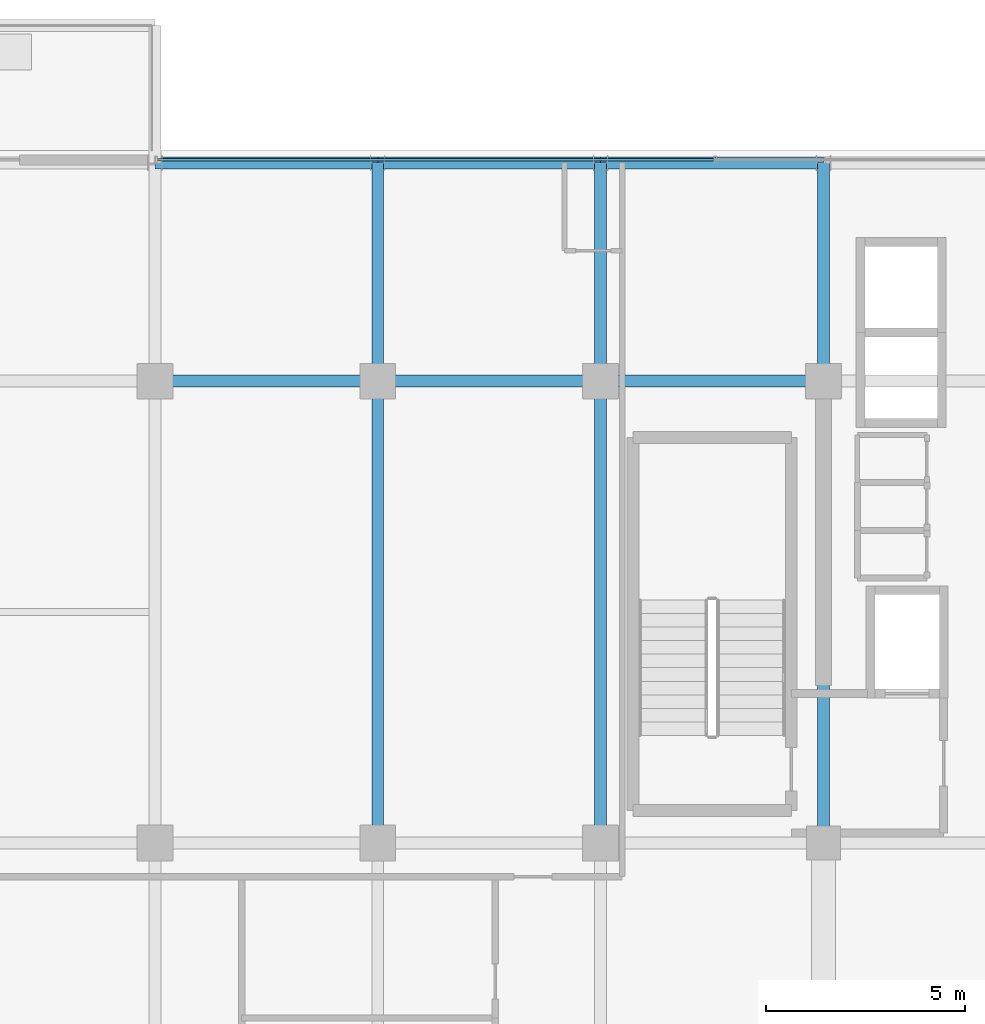
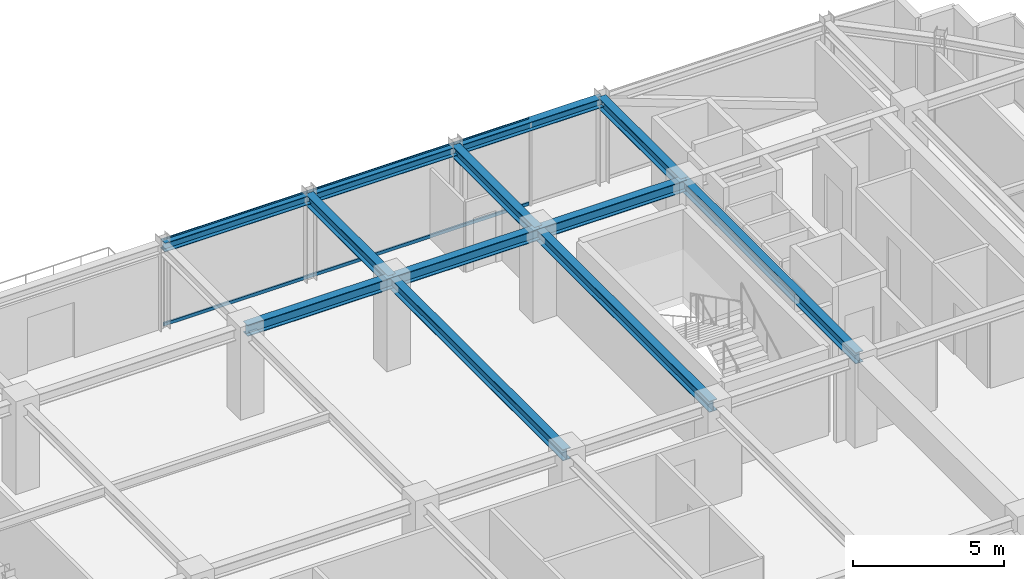
# One storey, part 19 of 31: 12 beams, 2 members, 1 element without a shape of its own.
"""IFC4 building model written with IfcOpenShell, lengths in metres."""

from ifc_helpers import new_model, si_unit, direction, frame, origin, origin_2d, place, context, subcontext, project, spatial, hollow_rectangle, i_section, extrude, source, transform, mapped, material, material_profile, profile_set, type_object, element, aggregate, save


model = new_model("IFC4")

# Units and contexts
model_context = context("Model", 3, precision=1e-05, world=origin(), true_north=direction((0.0, 1.0)))
body_context = subcontext(model_context, "Body", "Model", "MODEL_VIEW")
ifc_project = project(units=[si_unit("LENGTHUNIT", "METRE"), si_unit("AREAUNIT", "SQUARE_METRE"), si_unit("VOLUMEUNIT", "CUBIC_METRE"), si_unit("PLANEANGLEUNIT", "RADIAN"), si_unit("MASSUNIT", "GRAM", prefix="KILO")], contexts=[model_context])

# Site, building, storey
site_placement = place(None, origin())
site = spatial("IfcSite", under=ifc_project, at=site_placement, CompositionType="ELEMENT")
building_placement = place(site_placement, origin())
building = spatial("IfcBuilding", under=site, at=building_placement, Name="Nahalor Promenade Grand Hotel", CompositionType="ELEMENT")
storey_placement = place(building_placement, frame((0.0, 0.0, 327.14990234375)))
storey = spatial("IfcBuildingStorey", under=building, at=storey_placement, Name="L84", CompositionType="ELEMENT", Elevation=327.14990234375)

# Beams
ifc_material_1 = material(Name="Steel S355JR", Category="steel")
ifc_material_profile_1 = material_profile(ifc_material_1, i_section(OverallWidth=0.3, OverallDepth=0.45, WebThickness=0.014, FlangeThickness=0.026, at=origin_2d()), Name="HEB 450")
ifc_profile_set_1 = profile_set([ifc_material_profile_1], Name="Steel S355JR")
beam_type_1 = type_object("IfcBeamType", Name="Beam-Girder-HEB450", PredefinedType="BEAM", material=ifc_profile_set_1)
shared_shape_1 = source(origin(), body_context, "Body", "SweptSolid", [
    extrude(i_section(OverallWidth=0.3, OverallDepth=0.45, WebThickness=0.014, FlangeThickness=0.026, at=origin_2d()), origin(), (0.0, 0.0, 1.0), 5.599853515625),
])
for number, where, z_axis, x_axis, name in (
    (1, (-8.39990234375, 17.0, 3.275146484375), (1.0, 0.0, 0.0), (0.0, 1.0, 0.0), "BM-L84-GX-3-2"),
    (2, (2.800048828125, 17.0, 3.275146484375), (1.0, 0.0, 0.0), (0.0, 1.0, 0.0), "BM-L84-GX-3-4"),
):
    element("IfcBeam", number, at=place(storey_placement, frame(where, z_axis=z_axis, x_axis=x_axis)), inside=storey, type_object=beam_type_1, Name=name, PredefinedType="BEAM", context=body_context, shape_type="MappedRepresentation", body=[
        mapped(shared_shape_1, transform((0.0, 0.0, 0.0), scale=1.0)),
    ])
shared_shape_2 = source(origin(), body_context, "Body", "SweptSolid", [
    extrude(i_section(OverallWidth=0.3, OverallDepth=0.45, WebThickness=0.014, FlangeThickness=0.026, at=origin_2d()), origin(), (0.0, 0.0, 1.0), 5.60009765625),
])
beam_1_placement = place(storey_placement, frame((-2.800048828125, 17.0, 3.275146484375), z_axis=(1.0, 0.0, 0.0), x_axis=(0.0, 1.0, 0.0)))
element("IfcBeam", 3, at=beam_1_placement, inside=storey, type_object=beam_type_1, Name="BM-L84-GX-3-3", PredefinedType="BEAM", context=body_context, shape_type="MappedRepresentation", body=[
    mapped(shared_shape_2, transform((0.0, 0.0, 0.0), scale=1.0)),
])
shared_shape_3 = source(origin(), body_context, "Body", "SweptSolid", [
    extrude(i_section(OverallWidth=0.3, OverallDepth=0.45, WebThickness=0.014, FlangeThickness=0.026, at=origin_2d()), origin(), (0.0, 0.0, 1.0), 11.60009765625),
])
for number, where, z_axis, x_axis, name in (
    (4, (-2.800048828125, 5.39990234375, 3.275146484375), (0.0, 1.0, 0.0), (-1.0, 0.0, 0.0), "BM-L84-GY-2-3"),
    (5, (2.800048828125, 5.39990234375, 3.275146484375), (0.0, 1.0, 0.0), (-1.0, 0.0, 0.0), "BM-L84-GY-3-3"),
    (6, (8.39990234375, 5.39990234375, 3.275146484375), (0.0, 1.0, 0.0), (-1.0, 0.0, 0.0), "BM-L84-GY-4-3"),
):
    element("IfcBeam", number, at=place(storey_placement, frame(where, z_axis=z_axis, x_axis=x_axis)), inside=storey, type_object=beam_type_1, Name=name, PredefinedType="BEAM", context=body_context, shape_type="MappedRepresentation", body=[
        mapped(shared_shape_3, transform((0.0, 0.0, 0.0), scale=1.0)),
    ])
shared_shape_4 = source(origin(), body_context, "Body", "SweptSolid", [
    extrude(i_section(OverallWidth=0.3, OverallDepth=0.45, WebThickness=0.014, FlangeThickness=0.026, at=origin_2d()), origin(), (0.0, 0.0, 1.0), 5.47998046875),
])
for number, where, z_axis, x_axis, name in (
    (7, (-2.800048828125, 17.0, 3.275146484375), (0.0, 1.0, 0.0), (-1.0, 0.0, 0.0), "BM-L84-GY-2-4"),
    (8, (2.800048828125, 17.0, 3.275146484375), (0.0, 1.0, 0.0), (-1.0, 0.0, 0.0), "BM-L84-GY-3-4"),
    (9, (8.39990234375, 17.0, 3.275146484375), (0.0, 1.0, 0.0), (-1.0, 0.0, 0.0), "BM-L84-GY-4-4"),
):
    element("IfcBeam", number, at=place(storey_placement, frame(where, z_axis=z_axis, x_axis=x_axis)), inside=storey, type_object=beam_type_1, Name=name, PredefinedType="BEAM", context=body_context, shape_type="MappedRepresentation", body=[
        mapped(shared_shape_4, transform((0.0, 0.0, 0.0), scale=1.0)),
    ])
ifc_material_profile_2 = material_profile(ifc_material_1, i_section(OverallWidth=0.3, OverallDepth=0.36, WebThickness=0.0125, FlangeThickness=0.0225, at=origin_2d()), Name="HEB 360")
ifc_profile_set_2 = profile_set([ifc_material_profile_2], Name="Steel S355JR")
beam_type_2 = type_object("IfcBeamType", Name="Beam-Spandrel-HEB360", PredefinedType="SPANDREL", material=ifc_profile_set_2)
shared_shape_5 = source(origin(), body_context, "Body", "SweptSolid", [
    extrude(i_section(OverallWidth=0.3, OverallDepth=0.36, WebThickness=0.0125, FlangeThickness=0.0225, at=origin_2d()), origin(), (0.0, 0.0, 1.0), 5.599853515625),
])
for number, where, z_axis, x_axis, name in (
    (10, (-8.39990234375, 22.47998046875, 3.320068359375), (1.0, 0.0, 0.0), (0.0, 1.0, 0.0), "BM-L84-SP-N-1"),
    (11, (2.800048828125, 22.47998046875, 3.320068359375), (1.0, 0.0, 0.0), (0.0, 1.0, 0.0), "BM-L84-SP-N-3"),
):
    element("IfcBeam", number, at=place(storey_placement, frame(where, z_axis=z_axis, x_axis=x_axis)), inside=storey, type_object=beam_type_2, Name=name, PredefinedType="SPANDREL", context=body_context, shape_type="MappedRepresentation", body=[
        mapped(shared_shape_5, transform((0.0, 0.0, 0.0), scale=1.0)),
    ])
shared_shape_6 = source(origin(), body_context, "Body", "SweptSolid", [
    extrude(i_section(OverallWidth=0.3, OverallDepth=0.36, WebThickness=0.0125, FlangeThickness=0.0225, at=origin_2d()), origin(), (0.0, 0.0, 1.0), 5.60009765625),
])
beam_2_placement = place(storey_placement, frame((-2.800048828125, 22.47998046875, 3.320068359375), z_axis=(1.0, 0.0, 0.0), x_axis=(0.0, 1.0, 0.0)))
element("IfcBeam", 12, at=beam_2_placement, inside=storey, type_object=beam_type_2, Name="BM-L84-SP-N-2", PredefinedType="SPANDREL", context=body_context, shape_type="MappedRepresentation", body=[
    mapped(shared_shape_6, transform((0.0, 0.0, 0.0), scale=1.0)),
])

# Curtain wall, members
ifc_material_2 = material(Name="Anodised Bronze Aluminium EN AW-6063 T6", Category="aluminium")
curtain_wall_type = type_object("IfcCurtainWallType", Name="CW2 Typical Hotel Flush Bronze Unitised Curtain Wall", PredefinedType="USERDEFINED", material=ifc_material_2)
curtain_wall_placement = place(storey_placement, origin())
curtain_wall = element("IfcCurtainWall", 13, at=curtain_wall_placement, inside=storey, type_object=curtain_wall_type, Name="L84 Curtain Wall CW-L84-N-3", ObjectType="UNITISED_CURTAIN_WALL", PredefinedType="USERDEFINED")
ifc_material_profile_3 = material_profile(ifc_material_2, hollow_rectangle(XDim=0.065, YDim=0.13, WallThickness=0.004, at=origin_2d()), Name="CWT 65x130x4")
ifc_profile_set_3 = profile_set([ifc_material_profile_3], Name="Anodised Bronze Aluminium EN AW-6063 T6")
member_type = type_object("IfcMemberType", Name="CWT2 Typical Bronze Transom 65x130", PredefinedType="USERDEFINED", material=ifc_profile_set_3)
shared_shape_7 = source(origin(), body_context, "Body", "SweptSolid", [
    extrude(hollow_rectangle(XDim=0.065, YDim=0.13, WallThickness=0.004, at=origin_2d()), origin(), (0.0, 0.0, 1.0), 13.982421875),
])
member_1_placement = place(storey_placement, frame((-8.3349609375, 22.56005859375, 0.065185546875), z_axis=(1.0, 0.0, 0.0), x_axis=(0.0, 1.0, 0.0)))
member_1 = element("IfcMember", 14, at=member_1_placement, type_object=member_type, Name="CW-L84-N-3 Transom 0-0", ObjectType="TRANSOM", PredefinedType="USERDEFINED", context=body_context, shape_type="MappedRepresentation", body=[
    mapped(shared_shape_7, transform((0.0, 0.0, 0.0), scale=1.0)),
])
member_2_placement = place(storey_placement, frame((-8.3349609375, 22.56005859375, 3.43505859375), z_axis=(1.0, 0.0, 0.0), x_axis=(0.0, 1.0, 0.0)))
member_2 = element("IfcMember", 15, at=member_2_placement, type_object=member_type, Name="CW-L84-N-3 Transom 0-1", ObjectType="TRANSOM", PredefinedType="USERDEFINED", context=body_context, shape_type="MappedRepresentation", body=[
    mapped(shared_shape_7, transform((0.0, 0.0, 0.0), scale=1.0)),
])
aggregate(curtain_wall, [member_1, member_2])

save(model, "model.ifc")
